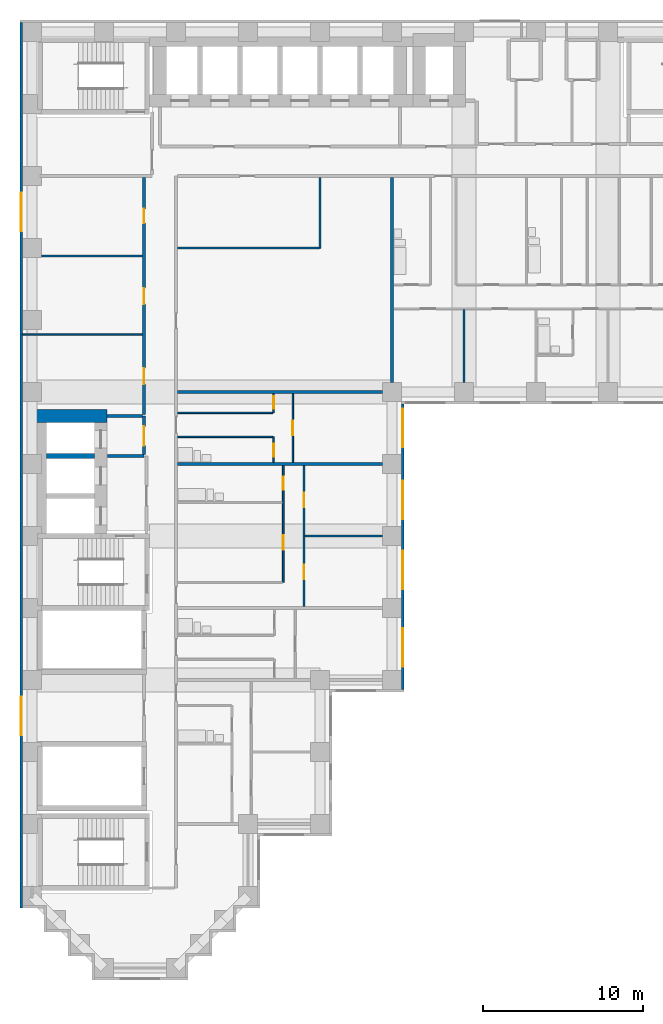
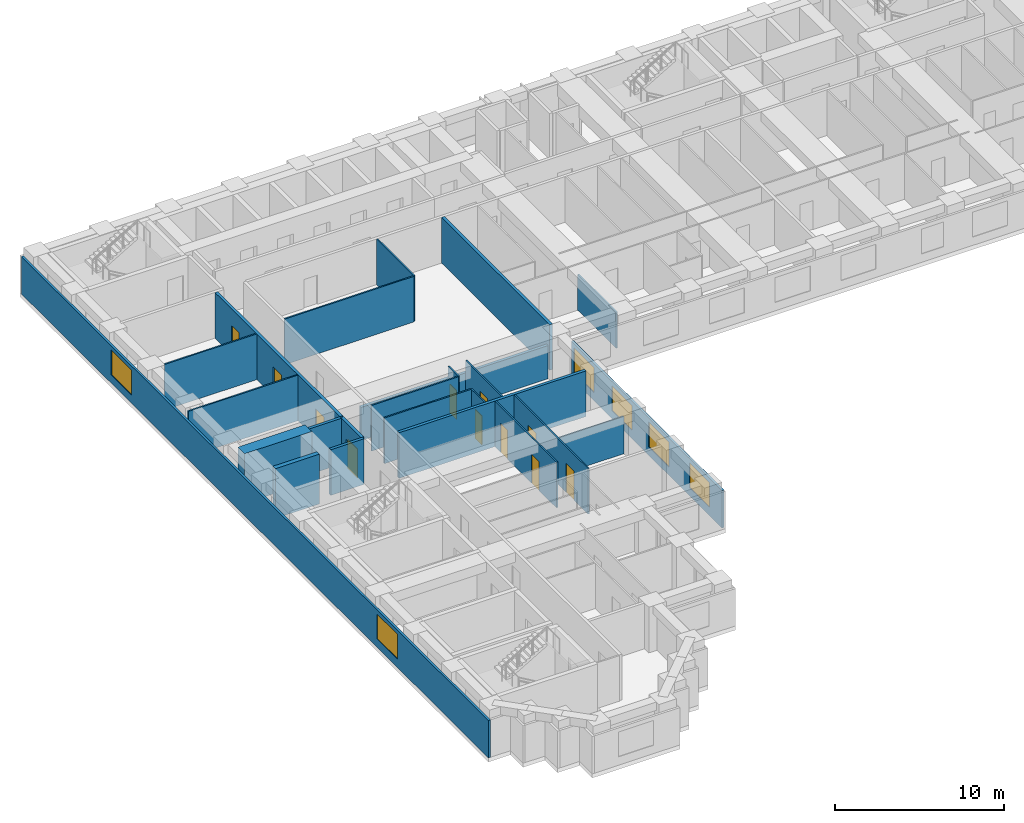
# One storey, part 4 of 12: 24 walls, 11 doors, 6 windows, 17 openings.
"""IFC4 building model written with IfcOpenShell, lengths in metres."""

import ifcopenshell
import ifcopenshell.guid

model = None  # the IFC model being written
_history = None  # IfcOwnerHistory: only IFC2X3 demands one
_inside = {}  # id of a spatial element -> (the spatial element, [elements in it])
_under = {}  # id of a project, library or spatial element -> (it, [spatial elements below it])
_declared = {}  # id of a project -> (the project, [libraries it declares])
_typed = {}  # id of a type object -> (the type object, [elements of that type])
_made_of = {}  # id of a material, layer set ... -> (it, [elements and type objects made of it])


def new_model(schema):
    """Start an empty IFC model of exactly this schema.

    Asked for "IFC4X3", IfcOpenShell would pick the latest addendum, in which some entities
    have other attributes; the version numbers below select the first issue.
    IFC2X3 requires an IfcOwnerHistory on every rooted entity: one is made here for all.
    """
    global model, _history
    if schema == "IFC4X3":
        model = ifcopenshell.file(schema_version=(4, 3, 0, 0))
    else:
        model = ifcopenshell.file(schema=schema)
    _inside.clear()
    _under.clear()
    _declared.clear()
    _typed.clear()
    _made_of.clear()
    _history = None
    if model.schema == "IFC2X3":
        org = make("IfcOrganization", Name="unknown")
        user = make(
            "IfcPersonAndOrganization",
            ThePerson=make("IfcPerson", FamilyName="unknown"),
            TheOrganization=org,
        )
        app = make(
            "IfcApplication",
            ApplicationDeveloper=org,
            Version="unknown",
            ApplicationFullName="unknown",
            ApplicationIdentifier="unknown",
        )
        _history = make(
            "IfcOwnerHistory",
            OwningUser=user,
            OwningApplication=app,
            ChangeAction="ADDED",
            CreationDate=0,
        )
    return model


def make(cls, **values):
    """One entity of the class cls with the attributes given. An attribute that is None is left unset."""
    return model.create_entity(
        cls, **{name: value for name, value in values.items() if value is not None}
    )


def rooted(cls, **values):
    """An entity with a GlobalId (a new one), such as an element, a storey or a relation."""
    return make(cls, GlobalId=ifcopenshell.guid.new(), OwnerHistory=_history, **values)


def si_unit(unit_type, name, prefix=None):
    """IfcSIUnit, for example si_unit("LENGTHUNIT", "METRE", prefix="MILLI")."""
    return make("IfcSIUnit", UnitType=unit_type, Prefix=prefix, Name=name)


def assignment(units):
    """IfcUnitAssignment: the units of a project."""
    return None if units is None else make("IfcUnitAssignment", Units=units)


def point(xyz):
    """IfcCartesianPoint."""
    return None if xyz is None else make("IfcCartesianPoint", Coordinates=xyz)


def direction(xyz):
    """IfcDirection."""
    return None if xyz is None else make("IfcDirection", DirectionRatios=xyz)


def frame(location, z_axis=None, x_axis=None):
    """IfcAxis2Placement3D, a coordinate frame: its origin and axes. An axis left out is left unset."""
    return make(
        "IfcAxis2Placement3D",
        Location=point(location),
        Axis=direction(z_axis),
        RefDirection=direction(x_axis),
    )


def frame_2d(location, x_axis=None):
    """IfcAxis2Placement2D, a coordinate frame in the plane: its origin and x axis."""
    return make(
        "IfcAxis2Placement2D", Location=point(location), RefDirection=direction(x_axis)
    )


def origin():
    """The frame at (0, 0, 0) with its axes left unset."""
    return frame((0.0, 0.0, 0.0))


def place(relative_to, where):
    """IfcLocalPlacement: puts the frame where relative to a parent placement (None: the world)."""
    return make(
        "IfcLocalPlacement", PlacementRelTo=relative_to, RelativePlacement=where
    )


def context(
    kind, dimensions, precision=None, world=None, true_north=None, identifier=None
):
    """IfcGeometricRepresentationContext, for example the 3D "Model" context."""
    return make(
        "IfcGeometricRepresentationContext",
        ContextIdentifier=identifier,
        ContextType=kind,
        CoordinateSpaceDimension=dimensions,
        Precision=precision,
        WorldCoordinateSystem=world,
        TrueNorth=true_north,
    )


def subcontext(parent, identifier, kind, view, scale=None):
    """IfcGeometricRepresentationSubContext, for example "Body" below "Model"."""
    return make(
        "IfcGeometricRepresentationSubContext",
        ContextIdentifier=identifier,
        ContextType=kind,
        ParentContext=parent,
        TargetScale=scale,
        TargetView=view,
    )


def project(units=None, contexts=None):
    """IfcProject with its units and contexts."""
    return rooted(
        "IfcProject",
        Name="project",
        RepresentationContexts=contexts,
        UnitsInContext=assignment(units),
    )


def spatial(cls, under=None, at=None, **own):
    """A site, building, storey or space (cls), placed at a placement, below another one or the project."""
    s = rooted(cls, ObjectPlacement=at, **own)
    if under is not None:
        _under.setdefault(under.id(), (under, []))[1].append(s)
    return s


def profile(cls, at=None, kind="AREA", **sizes):
    """A parametric profile (cls). Its sizes go by their IFC names, for example OverallWidth=200.0."""
    return make(cls, ProfileType=kind, Position=at, **sizes)


def rectangle(**sizes):
    """IfcRectangleProfileDef."""
    return profile("IfcRectangleProfileDef", **sizes)


def extrude(swept, where, along, depth):
    """IfcExtrudedAreaSolid: the profile swept, set in the frame where, extruded along a direction by depth."""
    return make(
        "IfcExtrudedAreaSolid",
        SweptArea=swept,
        Position=where,
        ExtrudedDirection=direction(along),
        Depth=depth,
    )


def shape(context_of_items, identifier, shape_type, items):
    """IfcShapeRepresentation: the items that make up one representation, for example the "Body"."""
    return make(
        "IfcShapeRepresentation",
        ContextOfItems=context_of_items,
        RepresentationIdentifier=identifier,
        RepresentationType=shape_type,
        Items=items,
    )


def material(Name=None, Category=None):
    """IfcMaterial."""
    return make("IfcMaterial", Name=Name, Category=Category)


def layer(
    of_material, thickness, ventilated=None, Name=None, Category=None, Priority=None
):
    """IfcMaterialLayer: one layer of a wall or slab, of a material (None: an air gap)."""
    return make(
        "IfcMaterialLayer",
        Material=of_material,
        LayerThickness=thickness,
        IsVentilated=ventilated,
        Name=Name,
        Category=Category,
        Priority=Priority,
    )


def layer_set(layers, Name=None):
    """IfcMaterialLayerSet."""
    return make("IfcMaterialLayerSet", MaterialLayers=layers, LayerSetName=Name)


def made_of(thing, what):
    """Note that an element or type object is made of a material, layer set ...; save() writes the relation."""
    if what is not None:
        _made_of.setdefault(what.id(), (what, []))[1].append(thing)
    return thing


def type_object(cls, material=None, **own):
    """A type object (cls), such as IfcWallType, which elements share."""
    return made_of(rooted(cls, **own), material)


def element(
    cls,
    number,
    at=None,
    inside=None,
    cuts=None,
    type_object=None,
    material=None,
    context=None,
    identifier="Body",
    shape_type=None,
    held_by="IfcProductDefinitionShape",
    body=None,
    shapes=None,
    **own,
):
    """One element of the class cls, such as IfcWall. Its Tag is "e" and its number.

    at: its placement. inside: the storey or other place that contains it. cuts: it is an
    opening in that element (IfcRelVoidsElement). A single representation is given by context,
    identifier, shape_type and body (its items); several are given by shapes. held_by: the class
    of the entity that holds the representations. save() writes the other relations.
    """
    e = rooted(cls, Tag="e%d" % number, ObjectPlacement=at, **own)
    if body is not None:
        shapes = [shape(context, identifier, shape_type, body)]
    if shapes is not None:
        e.Representation = make(held_by, Representations=shapes)
    if inside is not None:
        _inside.setdefault(inside.id(), (inside, []))[1].append(e)
    if cuts is not None:
        rooted(
            "IfcRelVoidsElement", RelatingBuildingElement=cuts, RelatedOpeningElement=e
        )
    if type_object is not None:
        _typed.setdefault(type_object.id(), (type_object, []))[1].append(e)
    return made_of(e, material)


def fill(opening, filler):
    """IfcRelFillsElement: the door or window that sits in an opening."""
    return rooted(
        "IfcRelFillsElement",
        RelatingOpeningElement=opening,
        RelatedBuildingElement=filler,
    )


def aggregate(whole, parts):
    """IfcRelAggregates: a whole, such as a stair, and the parts it consists of."""
    return rooted("IfcRelAggregates", RelatingObject=whole, RelatedObjects=parts)


def save(model, path):
    """Write the relations noted so far, then the file.

    IfcRelAggregates (storeys below a building ...), IfcRelContainedInSpatialStructure (elements
    in a storey), IfcRelDefinesByType, IfcRelAssociatesMaterial and IfcRelDeclares: one each for
    every whole, place, type object, material and project.
    """
    for whole, parts in _under.values():
        aggregate(whole, parts)
    for where, things in _inside.values():
        rooted(
            "IfcRelContainedInSpatialStructure",
            RelatedElements=things,
            RelatingStructure=where,
        )
    for kind, things in _typed.values():
        rooted("IfcRelDefinesByType", RelatedObjects=things, RelatingType=kind)
    for what, things in _made_of.values():
        rooted("IfcRelAssociatesMaterial", RelatedObjects=things, RelatingMaterial=what)
    for by, libraries in _declared.values():
        rooted("IfcRelDeclares", RelatingContext=by, RelatedDefinitions=libraries)
    model.write(path)


model = new_model("IFC4")

# Units and contexts
model_context = context("Model", 3, precision=1e-05, world=origin(), true_north=direction((0.0, 1.0)))
body_context = subcontext(model_context, "Body", "Model", "MODEL_VIEW")
ifc_project = project(units=[si_unit("LENGTHUNIT", "METRE"), si_unit("AREAUNIT", "SQUARE_METRE"), si_unit("VOLUMEUNIT", "CUBIC_METRE"), si_unit("PLANEANGLEUNIT", "RADIAN"), si_unit("MASSUNIT", "GRAM", prefix="KILO")], contexts=[model_context])

# Site, building, storey
site_placement = place(None, origin())
site = spatial("IfcSite", under=ifc_project, at=site_placement, CompositionType="ELEMENT")
building_placement = place(site_placement, origin())
building = spatial("IfcBuilding", under=site, at=building_placement, Name="Firuza Court", CompositionType="ELEMENT")
storey_placement = place(building_placement, frame((0.0, 0.0, 54.199951171875)))
storey = spatial("IfcBuildingStorey", under=building, at=storey_placement, Name="L12", CompositionType="ELEMENT", Elevation=54.199951171875)

# Walls
ifc_material_1 = material(Name="Moisture-resistant gypsum board partition")
ifc_layer_1 = layer(ifc_material_1, 0.10009765625)
ifc_layer_set_1 = layer_set([ifc_layer_1], Name="Moisture-resistant gypsum board partition")
wall_type_1 = type_object("IfcWallType", Name="Bathroom partition 100", PredefinedType="PLUMBINGWALL", material=ifc_layer_set_1)
wall_1_placement = place(storey_placement, frame((9.10009765625, 33.199951171875, 0.0), z_axis=(0.0, 0.0, 1.0), x_axis=(1.0, 0.0, 0.0)))
element("IfcWall", 1, at=wall_1_placement, inside=storey, type_object=wall_type_1, Name="Bathroom partition 100 L12", PredefinedType="PLUMBINGWALL", context=body_context, shape_type="SweptSolid", body=[
    extrude(rectangle(XDim=5.949951171875, YDim=0.10009765625, at=frame_2d((2.97509765625, 0.0))), origin(), (0.0, 0.0, 1.0), 3.300048828125),
])
ifc_material_2 = material(Name="Concrete C60/75", Category="concrete")
ifc_layer_2 = layer(ifc_material_2, 0.300048828125)
ifc_layer_set_2 = layer_set([ifc_layer_2], Name="Concrete C60/75")
wall_type_2 = type_object("IfcWallType", Name="Core wall 300 C60/75", PredefinedType="SHEAR", material=ifc_layer_set_2)
wall_2_placement = place(storey_placement, frame((0.89990234375, 32.0, -0.300048828125), z_axis=(0.0, 0.0, 1.0), x_axis=(1.0, 0.0, 0.0)))
element("IfcWall", 2, at=wall_2_placement, inside=storey, type_object=wall_type_2, Name="Core wall lift shaft L12", PredefinedType="SHEAR", context=body_context, shape_type="SweptSolid", body=[
    extrude(rectangle(XDim=3.0, YDim=0.300048828125, at=frame_2d((1.5, 0.0))), origin(), (0.0, 0.0, 1.0), 3.60009765625),
])
ifc_layer_3 = layer(ifc_material_2, 0.800048828125)
ifc_layer_set_3 = layer_set([ifc_layer_3], Name="Concrete C60/75")
wall_type_3 = type_object("IfcWallType", Name="Core wall 800 C60/75", PredefinedType="SHEAR", material=ifc_layer_set_3)
wall_3_placement = place(storey_placement, frame((0.10009765625, 34.5, -0.300048828125), z_axis=(0.0, 0.0, 1.0), x_axis=(1.0, 0.0, 0.0)))
element("IfcWall", 3, at=wall_3_placement, inside=storey, type_object=wall_type_3, Name="Core wall lift shaft L12", PredefinedType="SHEAR", context=body_context, shape_type="SweptSolid", body=[
    extrude(rectangle(XDim=4.599853515625, YDim=0.800048828125, at=frame_2d((2.2998046875, 0.0))), origin(), (0.0, 0.0, 1.0), 3.60009765625),
])

# Wall, openings, doors
ifc_material_3 = material(Name="Blockwork, plastered both sides", Category="masonry")
ifc_layer_4 = layer(ifc_material_3, 0.199951171875)
ifc_layer_set_4 = layer_set([ifc_layer_4], Name="Blockwork, plastered both sides")
wall_type_4 = type_object("IfcWallType", Name="Corridor wall 200", PredefinedType="PARTITIONING", material=ifc_layer_set_4)
wall_4_placement = place(storey_placement, frame((7.0, 34.60009765625, 0.0), z_axis=(0.0, 0.0, 1.0), x_axis=(0.0, 1.0, 0.0)))
wall_4 = element("IfcWall", 4, at=wall_4_placement, inside=storey, type_object=wall_type_4, Name="Corridor wall 200 L12", PredefinedType="PARTITIONING", context=body_context, shape_type="SweptSolid", body=[
    extrude(rectangle(XDim=14.7998046875, YDim=0.199951171875, at=frame_2d((7.39990234375, 0.0))), origin(), (0.0, 0.0, 1.0), 3.300048828125),
])
opening_1_placement = place(wall_4_placement, frame((1.89990234375, 0.0, 0.0)))
opening_1 = element("IfcOpeningElement", 5, at=opening_1_placement, cuts=wall_4, Name="Opening D12039", PredefinedType="OPENING", context=body_context, shape_type="SweptSolid", body=[
    extrude(rectangle(XDim=1.0, YDim=2.10009765625, at=frame_2d((0.5, 1.050048828125))), frame((0.0, 0.11181640625, 0.0), z_axis=(0.0, -1.0, 0.0), x_axis=(1.0, 0.0, 0.0)), (0.0, 0.0, 1.0), 0.223876953125),
])
opening_2_placement = place(wall_4_placement, frame((6.89990234375, 0.0, 0.0)))
opening_2 = element("IfcOpeningElement", 6, at=opening_2_placement, cuts=wall_4, Name="Opening D12040", PredefinedType="OPENING", context=body_context, shape_type="SweptSolid", body=[
    extrude(rectangle(XDim=1.0, YDim=2.10009765625, at=frame_2d((0.5, 1.050048828125))), frame((0.0, 0.11181640625, 0.0), z_axis=(0.0, -1.0, 0.0), x_axis=(1.0, 0.0, 0.0)), (0.0, 0.0, 1.0), 0.223876953125),
])
opening_3_placement = place(wall_4_placement, frame((11.949951171875, 0.0, 0.0)))
opening_3 = element("IfcOpeningElement", 7, at=opening_3_placement, cuts=wall_4, Name="Opening D12041", PredefinedType="OPENING", context=body_context, shape_type="SweptSolid", body=[
    extrude(rectangle(XDim=0.89990234375, YDim=2.10009765625, at=frame_2d((0.449951171875, 1.050048828125))), frame((0.0, 0.11181640625, 0.0), z_axis=(0.0, -1.0, 0.0), x_axis=(1.0, 0.0, 0.0)), (0.0, 0.0, 1.0), 0.223876953125),
])
ifc_material_4 = material(Name="Timber door leaf in hardwood frame", Category="wood")
door_type_1 = type_object("IfcDoorType", Name="Room door 900 EI 30", OperationType="SINGLE_SWING_LEFT", PredefinedType="DOOR", material=ifc_material_4)
door_1_placement = place(opening_3_placement, origin())
door_1 = element("IfcDoor", 8, at=door_1_placement, inside=storey, type_object=door_type_1, Name="Meeting room door", OperationType="SINGLE_SWING_LEFT", OverallHeight=2.10009765625, OverallWidth=0.89990234375, PredefinedType="DOOR", context=body_context, shape_type="SweptSolid", body=[
    extrude(rectangle(XDim=0.89990234375, YDim=2.10009765625, at=frame_2d((0.449951171875, 1.050048828125))), frame((0.0, 0.02490234375, 0.0), z_axis=(0.0, -1.0, 0.0), x_axis=(1.0, 0.0, 0.0)), (0.0, 0.0, 1.0), 0.050048828125),
])
fill(opening_3, door_1)
ifc_material_5 = material(Name="Timber door leaf in hardwood frame", Category="wood")
door_type_2 = type_object("IfcDoorType", Name="Store door 1000", OperationType="SINGLE_SWING_LEFT", PredefinedType="DOOR", material=ifc_material_5)
door_2_placement = place(opening_1_placement, origin())
door_2 = element("IfcDoor", 9, at=door_2_placement, inside=storey, type_object=door_type_2, Name="Comms room door", OperationType="SINGLE_SWING_LEFT", OverallHeight=2.10009765625, OverallWidth=1.0, PredefinedType="DOOR", context=body_context, shape_type="SweptSolid", body=[
    extrude(rectangle(XDim=1.0, YDim=2.10009765625, at=frame_2d((0.5, 1.050048828125))), frame((0.0, 0.02490234375, 0.0), z_axis=(0.0, -1.0, 0.0), x_axis=(1.0, 0.0, 0.0)), (0.0, 0.0, 1.0), 0.050048828125),
])
fill(opening_1, door_2)
door_3_placement = place(opening_2_placement, origin())
door_3 = element("IfcDoor", 10, at=door_3_placement, inside=storey, type_object=door_type_2, Name="Bicycle store door", OperationType="SINGLE_SWING_LEFT", OverallHeight=2.10009765625, OverallWidth=1.0, PredefinedType="DOOR", context=body_context, shape_type="SweptSolid", body=[
    extrude(rectangle(XDim=1.0, YDim=2.10009765625, at=frame_2d((0.5, 1.050048828125))), frame((0.0, 0.02490234375, 0.0), z_axis=(0.0, -1.0, 0.0), x_axis=(1.0, 0.0, 0.0)), (0.0, 0.0, 1.0), 0.050048828125),
])
fill(opening_2, door_3)

ifc_material_6 = material(Name="Timber stud partition, plasterboard both sides", Category="wood")
ifc_layer_5 = layer(ifc_material_6, 0.10009765625)
ifc_layer_set_5 = layer_set([ifc_layer_5], Name="Timber stud partition, plasterboard both sides")
wall_type_5 = type_object("IfcWallType", Name="Partition wall 100", PredefinedType="PARTITIONING", material=ifc_layer_set_5)
wall_5_placement = place(storey_placement, frame((17.0, 22.60009765625, 0.0), z_axis=(0.0, 0.0, 1.0), x_axis=(0.0, 1.0, 0.0)))
wall_5 = element("IfcWall", 11, at=wall_5_placement, inside=storey, type_object=wall_type_5, Name="Partition wall 100 L12", PredefinedType="PARTITIONING", context=body_context, shape_type="SweptSolid", body=[
    extrude(rectangle(XDim=8.7998046875, YDim=0.10009765625, at=frame_2d((4.39990234375, 0.0))), origin(), (0.0, 0.0, 1.0), 3.300048828125),
])
opening_4_placement = place(wall_5_placement, frame((1.699951171875, 0.0, 0.0)))
opening_4 = element("IfcOpeningElement", 12, at=opening_4_placement, cuts=wall_5, Name="Opening D12033", PredefinedType="OPENING", context=body_context, shape_type="SweptSolid", body=[
    extrude(rectangle(XDim=0.89990234375, YDim=2.10009765625, at=frame_2d((0.449951171875, 1.050048828125))), frame((0.0, 0.06201171875, 0.0), z_axis=(0.0, -1.0, 0.0), x_axis=(1.0, 0.0, 0.0)), (0.0, 0.0, 1.0), 0.1240234375),
])
opening_5_placement = place(wall_5_placement, frame((6.199951171875, 0.0, 0.0)))
opening_5 = element("IfcOpeningElement", 13, at=opening_5_placement, cuts=wall_5, Name="Opening D12034", PredefinedType="OPENING", context=body_context, shape_type="SweptSolid", body=[
    extrude(rectangle(XDim=0.89990234375, YDim=2.10009765625, at=frame_2d((0.449951171875, 1.050048828125))), frame((0.0, 0.06201171875, 0.0), z_axis=(0.0, -1.0, 0.0), x_axis=(1.0, 0.0, 0.0)), (0.0, 0.0, 1.0), 0.1240234375),
])
ifc_material_7 = material(Name="Timber door leaf in hardwood frame", Category="wood")
door_type_3 = type_object("IfcDoorType", Name="Room door 900", OperationType="SINGLE_SWING_LEFT", PredefinedType="DOOR", material=ifc_material_7)
door_4_placement = place(opening_4_placement, frame((0.89990234375, 0.0, 0.0), z_axis=(0.0, 0.0, 1.0), x_axis=(-1.0, 0.0, 0.0)))
door_4 = element("IfcDoor", 14, at=door_4_placement, inside=storey, type_object=door_type_3, Name="Bedroom door", OperationType="SINGLE_SWING_RIGHT", OverallHeight=2.10009765625, OverallWidth=0.89990234375, PredefinedType="DOOR", context=body_context, shape_type="SweptSolid", body=[
    extrude(rectangle(XDim=0.89990234375, YDim=2.10009765625, at=frame_2d((0.449951171875, 1.050048828125))), frame((0.0, 0.02490234375, 0.0), z_axis=(0.0, -1.0, 0.0), x_axis=(1.0, 0.0, 0.0)), (0.0, 0.0, 1.0), 0.050048828125),
])
fill(opening_4, door_4)
door_5_placement = place(opening_5_placement, frame((0.89990234375, 0.0, 0.0), z_axis=(0.0, 0.0, 1.0), x_axis=(-1.0, 0.0, 0.0)))
door_5 = element("IfcDoor", 15, at=door_5_placement, inside=storey, type_object=door_type_3, Name="Living room door", OperationType="SINGLE_SWING_RIGHT", OverallHeight=2.10009765625, OverallWidth=0.89990234375, PredefinedType="DOOR", context=body_context, shape_type="SweptSolid", body=[
    extrude(rectangle(XDim=0.89990234375, YDim=2.10009765625, at=frame_2d((0.449951171875, 1.050048828125))), frame((0.0, 0.02490234375, 0.0), z_axis=(0.0, -1.0, 0.0), x_axis=(1.0, 0.0, 0.0)), (0.0, 0.0, 1.0), 0.050048828125),
])
fill(opening_5, door_5)

wall_6_placement = place(storey_placement, frame((15.699951171875, 24.10009765625, 0.0), z_axis=(0.0, 0.0, 1.0), x_axis=(0.0, 1.0, 0.0)))
wall_6 = element("IfcWall", 16, at=wall_6_placement, inside=storey, type_object=wall_type_5, Name="Partition wall 100 L12", PredefinedType="PARTITIONING", context=body_context, shape_type="SweptSolid", body=[
    extrude(rectangle(XDim=7.2998046875, YDim=0.10009765625, at=frame_2d((3.64990234375, 0.0))), origin(), (0.0, 0.0, 1.0), 3.300048828125),
])
opening_6_placement = place(wall_6_placement, frame((5.800048828125, 0.0, 0.0)))
opening_6 = element("IfcOpeningElement", 17, at=opening_6_placement, cuts=wall_6, Name="Opening D12035", PredefinedType="OPENING", context=body_context, shape_type="SweptSolid", body=[
    extrude(rectangle(XDim=0.800048828125, YDim=2.10009765625, at=frame_2d((0.39990234375, 1.050048828125))), frame((0.0, 0.06201171875, 0.0), z_axis=(0.0, -1.0, 0.0), x_axis=(1.0, 0.0, 0.0)), (0.0, 0.0, 1.0), 0.1240234375),
])
opening_7_placement = place(wall_6_placement, frame((2.050048828125, 0.0, 0.0)))
opening_7 = element("IfcOpeningElement", 18, at=opening_7_placement, cuts=wall_6, Name="Opening D12036", PredefinedType="OPENING", context=body_context, shape_type="SweptSolid", body=[
    extrude(rectangle(XDim=0.89990234375, YDim=2.10009765625, at=frame_2d((0.449951171875, 1.050048828125))), frame((0.0, 0.06201171875, 0.0), z_axis=(0.0, -1.0, 0.0), x_axis=(1.0, 0.0, 0.0)), (0.0, 0.0, 1.0), 0.1240234375),
])
ifc_material_8 = material(Name="Timber door leaf in hardwood frame", Category="wood")
door_type_4 = type_object("IfcDoorType", Name="Bathroom door 800", OperationType="SINGLE_SWING_LEFT", PredefinedType="DOOR", material=ifc_material_8)
door_6_placement = place(opening_6_placement, origin())
door_6 = element("IfcDoor", 19, at=door_6_placement, inside=storey, type_object=door_type_4, Name="Bathroom door", OperationType="SINGLE_SWING_LEFT", OverallHeight=2.10009765625, OverallWidth=0.800048828125, PredefinedType="DOOR", context=body_context, shape_type="SweptSolid", body=[
    extrude(rectangle(XDim=0.800048828125, YDim=2.10009765625, at=frame_2d((0.39990234375, 1.050048828125))), frame((0.0, 0.02490234375, 0.0), z_axis=(0.0, -1.0, 0.0), x_axis=(1.0, 0.0, 0.0)), (0.0, 0.0, 1.0), 0.050048828125),
])
fill(opening_6, door_6)
door_7_placement = place(opening_7_placement, origin())
door_7 = element("IfcDoor", 20, at=door_7_placement, inside=storey, type_object=door_type_3, Name="Kitchen door", OperationType="SINGLE_SWING_LEFT", OverallHeight=2.10009765625, OverallWidth=0.89990234375, PredefinedType="DOOR", context=body_context, shape_type="SweptSolid", body=[
    extrude(rectangle(XDim=0.89990234375, YDim=2.10009765625, at=frame_2d((0.449951171875, 1.050048828125))), frame((0.0, 0.02490234375, 0.0), z_axis=(0.0, -1.0, 0.0), x_axis=(1.0, 0.0, 0.0)), (0.0, 0.0, 1.0), 0.050048828125),
])
fill(opening_7, door_7)

# Wall
wall_7_placement = place(storey_placement, frame((17.050048828125, 27.0, 0.0), z_axis=(0.0, 0.0, 1.0), x_axis=(1.0, 0.0, 0.0)))
element("IfcWall", 21, at=wall_7_placement, inside=storey, type_object=wall_type_5, Name="Partition wall 100 L12", PredefinedType="PARTITIONING", context=body_context, shape_type="SweptSolid", body=[
    extrude(rectangle(XDim=4.849853515625, YDim=0.10009765625, at=frame_2d((2.4248046875, 0.0))), origin(), (0.0, 0.0, 1.0), 2.699951171875),
])

# Wall, opening, door
wall_8_placement = place(storey_placement, frame((15.10009765625, 31.60009765625, 0.0), z_axis=(0.0, 0.0, 1.0), x_axis=(0.0, 1.0, 0.0)))
wall_8 = element("IfcWall", 22, at=wall_8_placement, inside=storey, type_object=wall_type_5, Name="Partition wall 100 L12", PredefinedType="PARTITIONING", context=body_context, shape_type="SweptSolid", body=[
    extrude(rectangle(XDim=1.599853515625, YDim=0.10009765625, at=frame_2d((0.7998046875, 0.0))), origin(), (0.0, 0.0, 1.0), 3.300048828125),
])
opening_8_placement = place(wall_8_placement, frame((0.35009765625, 0.0, 0.0)))
opening_8 = element("IfcOpeningElement", 23, at=opening_8_placement, cuts=wall_8, Name="Opening D12037", PredefinedType="OPENING", context=body_context, shape_type="SweptSolid", body=[
    extrude(rectangle(XDim=0.800048828125, YDim=2.10009765625, at=frame_2d((0.39990234375, 1.050048828125))), frame((0.0, 0.06201171875, 0.0), z_axis=(0.0, -1.0, 0.0), x_axis=(1.0, 0.0, 0.0)), (0.0, 0.0, 1.0), 0.1240234375),
])
door_8_placement = place(opening_8_placement, origin())
door_8 = element("IfcDoor", 24, at=door_8_placement, inside=storey, type_object=door_type_4, Name="Bathroom door", OperationType="SINGLE_SWING_LEFT", OverallHeight=2.10009765625, OverallWidth=0.800048828125, PredefinedType="DOOR", context=body_context, shape_type="SweptSolid", body=[
    extrude(rectangle(XDim=0.800048828125, YDim=2.10009765625, at=frame_2d((0.39990234375, 1.050048828125))), frame((0.0, 0.02490234375, 0.0), z_axis=(0.0, -1.0, 0.0), x_axis=(1.0, 0.0, 0.0)), (0.0, 0.0, 1.0), 0.050048828125),
])
fill(opening_8, door_8)

wall_9_placement = place(storey_placement, frame((16.300048828125, 31.60009765625, 0.0), z_axis=(0.0, 0.0, 1.0), x_axis=(0.0, 1.0, 0.0)))
wall_9 = element("IfcWall", 25, at=wall_9_placement, inside=storey, type_object=wall_type_5, Name="Partition wall 100 L12", PredefinedType="PARTITIONING", context=body_context, shape_type="SweptSolid", body=[
    extrude(rectangle(XDim=4.2998046875, YDim=0.10009765625, at=frame_2d((2.14990234375, 0.0))), origin(), (0.0, 0.0, 1.0), 3.300048828125),
])
opening_9_placement = place(wall_9_placement, frame((1.699951171875, 0.0, 0.0)))
opening_9 = element("IfcOpeningElement", 26, at=opening_9_placement, cuts=wall_9, Name="Opening D12038", PredefinedType="OPENING", context=body_context, shape_type="SweptSolid", body=[
    extrude(rectangle(XDim=0.89990234375, YDim=2.10009765625, at=frame_2d((0.449951171875, 1.050048828125))), frame((0.0, 0.06201171875, 0.0), z_axis=(0.0, -1.0, 0.0), x_axis=(1.0, 0.0, 0.0)), (0.0, 0.0, 1.0), 0.1240234375),
])
door_9_placement = place(opening_9_placement, frame((0.89990234375, 0.0, 0.0), z_axis=(0.0, 0.0, 1.0), x_axis=(-1.0, 0.0, 0.0)))
door_9 = element("IfcDoor", 27, at=door_9_placement, inside=storey, type_object=door_type_3, Name="Studio room door", OperationType="SINGLE_SWING_RIGHT", OverallHeight=2.10009765625, OverallWidth=0.89990234375, PredefinedType="DOOR", context=body_context, shape_type="SweptSolid", body=[
    extrude(rectangle(XDim=0.89990234375, YDim=2.10009765625, at=frame_2d((0.449951171875, 1.050048828125))), frame((0.0, 0.02490234375, 0.0), z_axis=(0.0, -1.0, 0.0), x_axis=(1.0, 0.0, 0.0)), (0.0, 0.0, 1.0), 0.050048828125),
])
fill(opening_9, door_9)

# Wall
wall_10_placement = place(storey_placement, frame((9.10009765625, 34.699951171875, 0.0), z_axis=(0.0, 0.0, 1.0), x_axis=(1.0, 0.0, 0.0)))
element("IfcWall", 28, at=wall_10_placement, inside=storey, type_object=wall_type_5, Name="Partition wall 100 L12", PredefinedType="PARTITIONING", context=body_context, shape_type="SweptSolid", body=[
    extrude(rectangle(XDim=5.949951171875, YDim=0.10009765625, at=frame_2d((2.97509765625, 0.0))), origin(), (0.0, 0.0, 1.0), 3.300048828125),
])

# Wall, opening, door
wall_11_placement = place(storey_placement, frame((15.10009765625, 34.699951171875, 0.0), z_axis=(0.0, 0.0, 1.0), x_axis=(0.0, 1.0, 0.0)))
wall_11 = element("IfcWall", 29, at=wall_11_placement, inside=storey, type_object=wall_type_5, Name="Partition wall 100 L12", PredefinedType="PARTITIONING", context=body_context, shape_type="SweptSolid", body=[
    extrude(rectangle(XDim=1.199951171875, YDim=0.10009765625, at=frame_2d((0.60009765625, 0.0))), origin(), (0.0, 0.0, 1.0), 3.300048828125),
])
opening_10_placement = place(wall_11_placement, frame((0.25, 0.0, 0.0)))
opening_10 = element("IfcOpeningElement", 30, at=opening_10_placement, cuts=wall_11, Name="Opening D12042", PredefinedType="OPENING", context=body_context, shape_type="SweptSolid", body=[
    extrude(rectangle(XDim=0.800048828125, YDim=2.10009765625, at=frame_2d((0.39990234375, 1.050048828125))), frame((0.0, 0.06201171875, 0.0), z_axis=(0.0, -1.0, 0.0), x_axis=(1.0, 0.0, 0.0)), (0.0, 0.0, 1.0), 0.1240234375),
])
ifc_material_9 = material(Name="Timber door leaf in hardwood frame", Category="wood")
door_type_5 = type_object("IfcDoorType", Name="Room door 800", OperationType="SINGLE_SWING_LEFT", PredefinedType="DOOR", material=ifc_material_9)
door_10_placement = place(opening_10_placement, origin())
door_10 = element("IfcDoor", 31, at=door_10_placement, inside=storey, type_object=door_type_5, Name="Kitchen door", OperationType="SINGLE_SWING_LEFT", OverallHeight=2.10009765625, OverallWidth=0.800048828125, PredefinedType="DOOR", context=body_context, shape_type="SweptSolid", body=[
    extrude(rectangle(XDim=0.800048828125, YDim=2.10009765625, at=frame_2d((0.39990234375, 1.050048828125))), frame((0.0, 0.02490234375, 0.0), z_axis=(0.0, -1.0, 0.0), x_axis=(1.0, 0.0, 0.0)), (0.0, 0.0, 1.0), 0.050048828125),
])
fill(opening_10, door_10)

# Walls
wall_12_placement = place(storey_placement, frame((27.0, 36.60009765625, 0.0), z_axis=(0.0, 0.0, 1.0), x_axis=(0.0, 1.0, 0.0)))
element("IfcWall", 32, at=wall_12_placement, inside=storey, type_object=wall_type_5, Name="Partition wall 100 L12", PredefinedType="PARTITIONING", context=body_context, shape_type="SweptSolid", body=[
    extrude(rectangle(XDim=4.5498046875, YDim=0.10009765625, at=frame_2d((2.27490234375, 0.0))), origin(), (0.0, 0.0, 1.0), 2.60009765625),
])
wall_13_placement = place(storey_placement, frame((-0.60009765625, 39.60009765625, 0.0), z_axis=(0.0, 0.0, 1.0), x_axis=(1.0, 0.0, 0.0)))
element("IfcWall", 33, at=wall_13_placement, inside=storey, type_object=wall_type_5, Name="Partition wall 100 L12", PredefinedType="PARTITIONING", context=body_context, shape_type="SweptSolid", body=[
    extrude(rectangle(XDim=7.5, YDim=0.10009765625, at=frame_2d((3.75, 0.0))), origin(), (0.0, 0.0, 1.0), 3.300048828125),
])
wall_14_placement = place(storey_placement, frame((0.60009765625, 44.5, 0.0), z_axis=(0.0, 0.0, 1.0), x_axis=(1.0, 0.0, 0.0)))
element("IfcWall", 34, at=wall_14_placement, inside=storey, type_object=wall_type_5, Name="Partition wall 100 L12", PredefinedType="PARTITIONING", context=body_context, shape_type="SweptSolid", body=[
    extrude(rectangle(XDim=6.2998046875, YDim=0.10009765625, at=frame_2d((3.14990234375, 0.0))), origin(), (0.0, 0.0, 1.0), 3.300048828125),
])
wall_15_placement = place(storey_placement, frame((9.10009765625, 45.0, 0.0), z_axis=(0.0, 0.0, 1.0), x_axis=(1.0, 0.0, 0.0)))
element("IfcWall", 35, at=wall_15_placement, inside=storey, type_object=wall_type_5, Name="Partition wall 100 L12", PredefinedType="PARTITIONING", context=body_context, shape_type="SweptSolid", body=[
    extrude(rectangle(XDim=8.849853515625, YDim=0.10009765625, at=frame_2d((4.4248046875, 0.0))), origin(), (0.0, 0.0, 1.0), 3.300048828125),
])
wall_16_placement = place(storey_placement, frame((18.0, 45.0, 0.0), z_axis=(0.0, 0.0, 1.0), x_axis=(0.0, 1.0, 0.0)))
element("IfcWall", 36, at=wall_16_placement, inside=storey, type_object=wall_type_5, Name="Partition wall 100 L12", PredefinedType="PARTITIONING", context=body_context, shape_type="SweptSolid", body=[
    extrude(rectangle(XDim=4.39990234375, YDim=0.10009765625, at=frame_2d((2.199951171875, 0.0))), origin(), (0.0, 0.0, 1.0), 3.300048828125),
])
ifc_layer_6 = layer(ifc_material_3, 0.199951171875)
ifc_layer_set_6 = layer_set([ifc_layer_6], Name="Blockwork, plastered both sides")
wall_type_6 = type_object("IfcWallType", Name="Party wall 200", PredefinedType="PARTITIONING", material=ifc_layer_set_6)
wall_17_placement = place(storey_placement, frame((9.10009765625, 31.5, 0.0), z_axis=(0.0, 0.0, 1.0), x_axis=(1.0, 0.0, 0.0)))
element("IfcWall", 37, at=wall_17_placement, inside=storey, type_object=wall_type_6, Name="Party wall 200 L12", PredefinedType="PARTITIONING", context=body_context, shape_type="SweptSolid", body=[
    extrude(rectangle(XDim=12.7998046875, YDim=0.199951171875, at=frame_2d((6.39990234375, 0.0))), origin(), (0.0, 0.0, 1.0), 3.300048828125),
])
wall_18_placement = place(storey_placement, frame((9.10009765625, 36.0, 0.0), z_axis=(0.0, 0.0, 1.0), x_axis=(1.0, 0.0, 0.0)))
element("IfcWall", 38, at=wall_18_placement, inside=storey, type_object=wall_type_6, Name="Party wall 200 L12", PredefinedType="PARTITIONING", context=body_context, shape_type="SweptSolid", body=[
    extrude(rectangle(XDim=12.7998046875, YDim=0.199951171875, at=frame_2d((6.39990234375, 0.0))), origin(), (0.0, 0.0, 1.0), 2.400146484375),
])
wall_19_placement = place(storey_placement, frame((22.5, 36.60009765625, 0.0), z_axis=(0.0, 0.0, 1.0), x_axis=(0.0, 1.0, 0.0)))
element("IfcWall", 39, at=wall_19_placement, inside=storey, type_object=wall_type_6, Name="Party wall 200 L12", PredefinedType="PARTITIONING", context=body_context, shape_type="SweptSolid", body=[
    extrude(rectangle(XDim=12.7998046875, YDim=0.199951171875, at=frame_2d((6.39990234375, 0.0))), origin(), (0.0, 0.0, 1.0), 3.300048828125),
])

# Wall, openings, windows
ifc_material_10 = material(Name="Ceramic tile", Category="ceramic")
ifc_layer_7 = layer(ifc_material_10, 0.02001953125)
ifc_material_11 = material(Name="Mineral wool insulation", Category="insulation")
ifc_layer_8 = layer(ifc_material_11, 0.050048828125)
ifc_material_12 = material(Name="Concrete C40/50 precast", Category="concrete")
ifc_layer_9 = layer(ifc_material_12, 0.080078125)
ifc_layer_set_7 = layer_set([ifc_layer_7, ifc_layer_8, ifc_layer_9], Name="Concrete C40/50 precast")
wall_type_7 = type_object("IfcWallType", Name="Precast cladding wall with turquoise TILE PANEL face 150", PredefinedType="STANDARD", material=ifc_layer_set_7)
wall_20_placement = place(storey_placement, frame((23.175048828125, 17.39990234375, 0.0), z_axis=(0.0, 0.0, 1.0), x_axis=(0.0, 1.0, 0.0)))
wall_20 = element("IfcWall", 40, at=wall_20_placement, inside=storey, type_object=wall_type_7, Name="Facade wall L12 E", PredefinedType="STANDARD", context=body_context, shape_type="SweptSolid", body=[
    extrude(rectangle(XDim=17.85009765625, YDim=0.14990234375, at=frame_2d((8.925048828125, 0.0))), origin(), (0.0, 0.0, 1.0), 2.699951171875),
])
opening_11_placement = place(wall_20_placement, frame((1.44384765625, 0.0, 0.60009765625)))
opening_11 = element("IfcOpeningElement", 41, at=opening_11_placement, cuts=wall_20, Name="Opening W1", PredefinedType="OPENING", context=body_context, shape_type="SweptSolid", body=[
    extrude(rectangle(XDim=2.39990234375, YDim=1.800048828125, at=frame_2d((1.199951171875, 0.89990234375))), frame((0.0, 0.0869140625, 0.0), z_axis=(0.0, -1.0, 0.0), x_axis=(1.0, 0.0, 0.0)), (0.0, 0.0, 1.0), 0.173828125),
])
opening_12_placement = place(wall_20_placement, frame((6.287353515625, 0.0, 0.60009765625)))
opening_12 = element("IfcOpeningElement", 42, at=opening_12_placement, cuts=wall_20, Name="Opening W1", PredefinedType="OPENING", context=body_context, shape_type="SweptSolid", body=[
    extrude(rectangle(XDim=2.39990234375, YDim=1.800048828125, at=frame_2d((1.199951171875, 0.89990234375))), frame((0.0, 0.0869140625, 0.0), z_axis=(0.0, -1.0, 0.0), x_axis=(1.0, 0.0, 0.0)), (0.0, 0.0, 1.0), 0.173828125),
])
opening_13_placement = place(wall_20_placement, frame((10.64990234375, 0.0, 0.60009765625)))
opening_13 = element("IfcOpeningElement", 43, at=opening_13_placement, cuts=wall_20, Name="Opening W1", PredefinedType="OPENING", context=body_context, shape_type="SweptSolid", body=[
    extrude(rectangle(XDim=2.39990234375, YDim=1.800048828125, at=frame_2d((1.199951171875, 0.89990234375))), frame((0.0, 0.0869140625, 0.0), z_axis=(0.0, -1.0, 0.0), x_axis=(1.0, 0.0, 0.0)), (0.0, 0.0, 1.0), 0.173828125),
])
opening_14_placement = place(wall_20_placement, frame((15.14990234375, 0.0, 0.60009765625)))
opening_14 = element("IfcOpeningElement", 44, at=opening_14_placement, cuts=wall_20, Name="Opening W1", PredefinedType="OPENING", context=body_context, shape_type="SweptSolid", body=[
    extrude(rectangle(XDim=2.39990234375, YDim=1.800048828125, at=frame_2d((1.199951171875, 0.89990234375))), frame((0.0, 0.0869140625, 0.0), z_axis=(0.0, -1.0, 0.0), x_axis=(1.0, 0.0, 0.0)), (0.0, 0.0, 1.0), 0.173828125),
])
ifc_material_13 = material(Name="Aluminium frame, triple clear glazing", Category="aluminium")
window_type = type_object("IfcWindowType", Name="Window W1 2400 x 1800", PartitioningType="SINGLE_PANEL", PredefinedType="WINDOW", material=ifc_material_13)
window_1_placement = place(opening_11_placement, origin())
window_1 = element("IfcWindow", 45, at=window_1_placement, inside=storey, type_object=window_type, Name="Window L12", OverallHeight=1.800048828125, OverallWidth=2.39990234375, PartitioningType="SINGLE_PANEL", PredefinedType="WINDOW", context=body_context, shape_type="SweptSolid", body=[
    extrude(rectangle(XDim=2.39990234375, YDim=1.800048828125, at=frame_2d((1.199951171875, 0.89990234375))), frame((0.0, 0.030029296875, 0.0), z_axis=(0.0, -1.0, 0.0), x_axis=(1.0, 0.0, 0.0)), (0.0, 0.0, 1.0), 0.06005859375),
])
fill(opening_11, window_1)
window_2_placement = place(opening_12_placement, origin())
window_2 = element("IfcWindow", 46, at=window_2_placement, inside=storey, type_object=window_type, Name="Window L12", OverallHeight=1.800048828125, OverallWidth=2.39990234375, PartitioningType="SINGLE_PANEL", PredefinedType="WINDOW", context=body_context, shape_type="SweptSolid", body=[
    extrude(rectangle(XDim=2.39990234375, YDim=1.800048828125, at=frame_2d((1.199951171875, 0.89990234375))), frame((0.0, 0.030029296875, 0.0), z_axis=(0.0, -1.0, 0.0), x_axis=(1.0, 0.0, 0.0)), (0.0, 0.0, 1.0), 0.06005859375),
])
fill(opening_12, window_2)
window_3_placement = place(opening_13_placement, origin())
window_3 = element("IfcWindow", 47, at=window_3_placement, inside=storey, type_object=window_type, Name="Window L12", OverallHeight=1.800048828125, OverallWidth=2.39990234375, PartitioningType="SINGLE_PANEL", PredefinedType="WINDOW", context=body_context, shape_type="SweptSolid", body=[
    extrude(rectangle(XDim=2.39990234375, YDim=1.800048828125, at=frame_2d((1.199951171875, 0.89990234375))), frame((0.0, 0.030029296875, 0.0), z_axis=(0.0, -1.0, 0.0), x_axis=(1.0, 0.0, 0.0)), (0.0, 0.0, 1.0), 0.06005859375),
])
fill(opening_13, window_3)
window_4_placement = place(opening_14_placement, origin())
window_4 = element("IfcWindow", 48, at=window_4_placement, inside=storey, type_object=window_type, Name="Window L12", OverallHeight=1.800048828125, OverallWidth=2.39990234375, PartitioningType="SINGLE_PANEL", PredefinedType="WINDOW", context=body_context, shape_type="SweptSolid", body=[
    extrude(rectangle(XDim=2.39990234375, YDim=1.800048828125, at=frame_2d((1.199951171875, 0.89990234375))), frame((0.0, 0.030029296875, 0.0), z_axis=(0.0, -1.0, 0.0), x_axis=(1.0, 0.0, 0.0)), (0.0, 0.0, 1.0), 0.06005859375),
])
fill(opening_14, window_4)

wall_21_placement = place(storey_placement, frame((-0.675048828125, 59.10009765625, 0.0), z_axis=(0.0, 0.0, 1.0), x_axis=(0.0, -1.0, 0.0)))
wall_21 = element("IfcWall", 49, at=wall_21_placement, inside=storey, type_object=wall_type_7, Name="Facade wall L12 W", PredefinedType="STANDARD", context=body_context, shape_type="SweptSolid", body=[
    extrude(rectangle(XDim=55.35009765625, YDim=0.14990234375, at=frame_2d((27.675048828125, 0.0))), origin(), (0.0, 0.0, 1.0), 2.699951171875),
])
opening_15_placement = place(wall_21_placement, frame((10.64990234375, 0.0, 0.60009765625)))
opening_15 = element("IfcOpeningElement", 50, at=opening_15_placement, cuts=wall_21, Name="Opening W1", PredefinedType="OPENING", context=body_context, shape_type="SweptSolid", body=[
    extrude(rectangle(XDim=2.39990234375, YDim=1.800048828125, at=frame_2d((1.199951171875, 0.89990234375))), frame((0.0, 0.0869140625, 0.0), z_axis=(0.0, -1.0, 0.0), x_axis=(1.0, 0.0, 0.0)), (0.0, 0.0, 1.0), 0.173828125),
])
opening_16_placement = place(wall_21_placement, frame((42.14990234375, 0.0, 0.60009765625)))
opening_16 = element("IfcOpeningElement", 51, at=opening_16_placement, cuts=wall_21, Name="Opening W1", PredefinedType="OPENING", context=body_context, shape_type="SweptSolid", body=[
    extrude(rectangle(XDim=2.39990234375, YDim=1.800048828125, at=frame_2d((1.199951171875, 0.89990234375))), frame((0.0, 0.0869140625, 0.0), z_axis=(0.0, -1.0, 0.0), x_axis=(1.0, 0.0, 0.0)), (0.0, 0.0, 1.0), 0.173828125),
])
window_5_placement = place(opening_15_placement, origin())
window_5 = element("IfcWindow", 52, at=window_5_placement, inside=storey, type_object=window_type, Name="Window L12", OverallHeight=1.800048828125, OverallWidth=2.39990234375, PartitioningType="SINGLE_PANEL", PredefinedType="WINDOW", context=body_context, shape_type="SweptSolid", body=[
    extrude(rectangle(XDim=2.39990234375, YDim=1.800048828125, at=frame_2d((1.199951171875, 0.89990234375))), frame((0.0, 0.030029296875, 0.0), z_axis=(0.0, -1.0, 0.0), x_axis=(1.0, 0.0, 0.0)), (0.0, 0.0, 1.0), 0.06005859375),
])
fill(opening_15, window_5)
window_6_placement = place(opening_16_placement, origin())
window_6 = element("IfcWindow", 53, at=window_6_placement, inside=storey, type_object=window_type, Name="Window L12", OverallHeight=1.800048828125, OverallWidth=2.39990234375, PartitioningType="SINGLE_PANEL", PredefinedType="WINDOW", context=body_context, shape_type="SweptSolid", body=[
    extrude(rectangle(XDim=2.39990234375, YDim=1.800048828125, at=frame_2d((1.199951171875, 0.89990234375))), frame((0.0, 0.030029296875, 0.0), z_axis=(0.0, -1.0, 0.0), x_axis=(1.0, 0.0, 0.0)), (0.0, 0.0, 1.0), 0.06005859375),
])
fill(opening_16, window_6)

# Wall
ifc_material_14 = material(Name="Blockwork, fire-rated", Category="masonry")
ifc_layer_10 = layer(ifc_material_14, 0.199951171875)
ifc_layer_set_8 = layer_set([ifc_layer_10], Name="Blockwork, fire-rated")
wall_type_8 = type_object("IfcWallType", Name="Shaft wall 200", PredefinedType="PARTITIONING", material=ifc_layer_set_8)
wall_22_placement = place(storey_placement, frame((4.719970703125, 32.0, 0.0), z_axis=(0.0, 0.0, 1.0), x_axis=(1.0, 0.0, 0.0)))
element("IfcWall", 54, at=wall_22_placement, inside=storey, type_object=wall_type_8, Name="Shaft wall 200 L12", PredefinedType="PARTITIONING", context=body_context, shape_type="SweptSolid", body=[
    extrude(rectangle(XDim=2.280029296875, YDim=0.199951171875, at=frame_2d((1.14013671875, 0.0))), origin(), (0.0, 0.0, 1.0), 3.300048828125),
])

# Wall, opening, door
wall_23_placement = place(storey_placement, frame((7.0, 32.10009765625, 0.0), z_axis=(0.0, 0.0, 1.0), x_axis=(0.0, 1.0, 0.0)))
wall_23 = element("IfcWall", 55, at=wall_23_placement, inside=storey, type_object=wall_type_8, Name="Shaft wall 200 L12", PredefinedType="PARTITIONING", context=body_context, shape_type="SweptSolid", body=[
    extrude(rectangle(XDim=2.39990234375, YDim=0.199951171875, at=frame_2d((1.199951171875, 0.0))), origin(), (0.0, 0.0, 1.0), 3.300048828125),
])
opening_17_placement = place(wall_23_placement, frame((0.550048828125, 0.0, 0.0)))
opening_17 = element("IfcOpeningElement", 56, at=opening_17_placement, cuts=wall_23, Name="Opening D12008", PredefinedType="OPENING", context=body_context, shape_type="SweptSolid", body=[
    extrude(rectangle(XDim=1.199951171875, YDim=2.10009765625, at=frame_2d((0.60009765625, 1.050048828125))), frame((0.0, 0.11181640625, 0.0), z_axis=(0.0, -1.0, 0.0), x_axis=(1.0, 0.0, 0.0)), (0.0, 0.0, 1.0), 0.223876953125),
])
ifc_material_15 = material(Name="Timber door leaf in hardwood frame", Category="wood")
door_type_6 = type_object("IfcDoorType", Name="Lobby door 1200", OperationType="SINGLE_SWING_LEFT", PredefinedType="DOOR", material=ifc_material_15)
door_11_placement = place(opening_17_placement, origin())
door_11 = element("IfcDoor", 57, at=door_11_placement, inside=storey, type_object=door_type_6, Name="Lobby door", OperationType="SINGLE_SWING_LEFT", OverallHeight=2.10009765625, OverallWidth=1.199951171875, PredefinedType="DOOR", context=body_context, shape_type="SweptSolid", body=[
    extrude(rectangle(XDim=1.199951171875, YDim=2.10009765625, at=frame_2d((0.60009765625, 1.050048828125))), frame((0.0, 0.02490234375, 0.0), z_axis=(0.0, -1.0, 0.0), x_axis=(1.0, 0.0, 0.0)), (0.0, 0.0, 1.0), 0.050048828125),
])
fill(opening_17, door_11)

# Wall
wall_24_placement = place(storey_placement, frame((4.699951171875, 34.5, 0.0), z_axis=(0.0, 0.0, 1.0), x_axis=(1.0, 0.0, 0.0)))
element("IfcWall", 58, at=wall_24_placement, inside=storey, type_object=wall_type_8, Name="Shaft wall 200 L12", PredefinedType="PARTITIONING", context=body_context, shape_type="SweptSolid", body=[
    extrude(rectangle(XDim=2.199951171875, YDim=0.199951171875, at=frame_2d((1.10009765625, 0.0))), origin(), (0.0, 0.0, 1.0), 3.300048828125),
])

save(model, "model.ifc")
